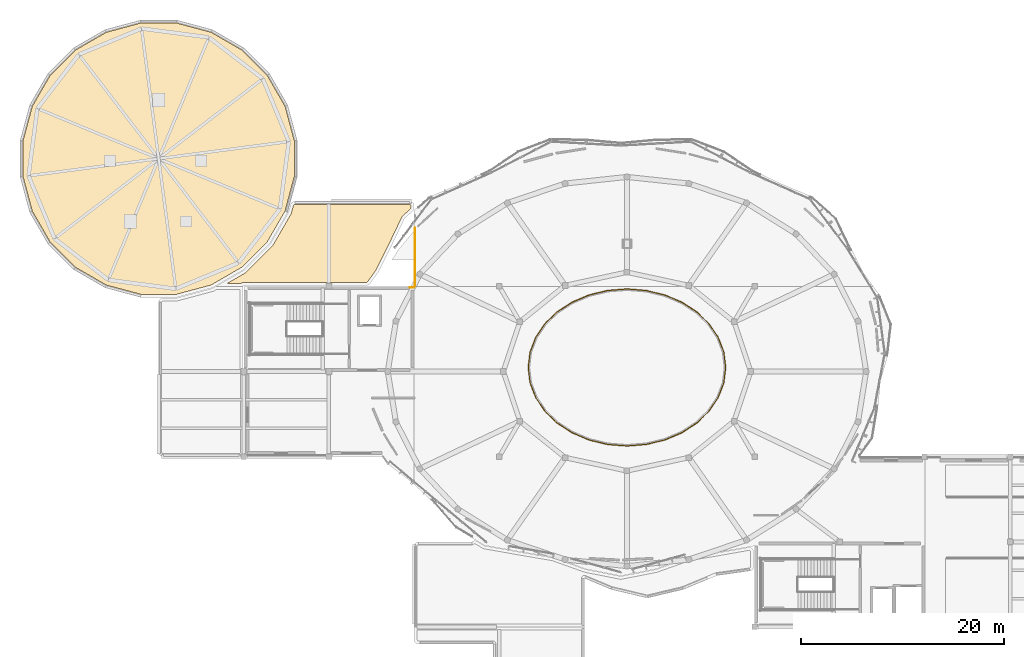
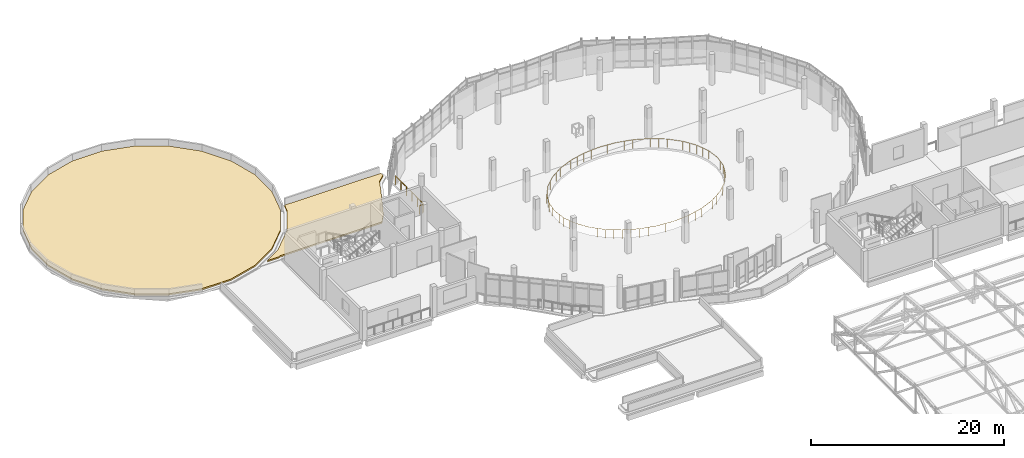
# One storey, part 69 of 74: 2 coverings, 2 railings.
"""IFC4 building model written with IfcOpenShell, lengths in metres."""

from ifc_helpers import new_model, si_unit, derived_unit, direction, frame, origin, origin_2d, place, context, subcontext, project, spatial, polyline, circle, outline, extrude, material, layer, layer_set, type_object, element, save


model = new_model("IFC4")

# Units and contexts
model_context = context("Model", 3, precision=1e-05, world=origin(), true_north=direction((0.0, 1.0)))
body_context = subcontext(model_context, "Body", "Model", "MODEL_VIEW")
ifc_project = project(units=[si_unit("LENGTHUNIT", "METRE"), si_unit("AREAUNIT", "SQUARE_METRE"), si_unit("VOLUMEUNIT", "CUBIC_METRE"), si_unit("PLANEANGLEUNIT", "RADIAN"), si_unit("MASSUNIT", "GRAM", prefix="KILO"), derived_unit("THERMALTRANSMITTANCEUNIT", [(si_unit("POWERUNIT", "WATT"), 1), (si_unit("LENGTHUNIT", "METRE"), -2), (si_unit("THERMODYNAMICTEMPERATUREUNIT", "KELVIN"), -1)])], contexts=[model_context])

# Site, building, storey
site_placement = place(None, origin())
site = spatial("IfcSite", under=ifc_project, at=site_placement, CompositionType="ELEMENT")
building_placement = place(site_placement, origin())
building = spatial("IfcBuilding", under=site, at=building_placement, Name="Elbkamm Science Centre", CompositionType="ELEMENT")
storey_placement = place(building_placement, frame((0.0, 0.0, 14.39990234375)))
storey = spatial("IfcBuildingStorey", under=building, at=storey_placement, Name="L03", CompositionType="ELEMENT", Elevation=14.39990234375)

# Coverings
ifc_material_1 = material(Name="EPDM waterproof roofing membrane and mineral wool insulation")
ifc_layer = layer(ifc_material_1, 0.179931640625)
ifc_layer_set = layer_set([ifc_layer], Name="EPDM waterproof roofing membrane and mineral wool insulation")
covering_type = type_object("IfcCoveringType", Name="COV-ROOFING-180", PredefinedType="ROOFING", material=ifc_layer_set)
covering_1_placement = place(storey_placement, frame((0.0, 0.0, 0.06005859375)))
element("IfcCovering", 1, at=covering_1_placement, inside=storey, type_object=covering_type, Name="L03 Insulated Roof Membrane Covering 01", PredefinedType="ROOFING", context=body_context, shape_type="SweptSolid", body=[
    extrude(outline(polyline([(30.181884765625, 86.438232421875), (29.27001953125, 83.034912109375), (27.50830078125, 79.9833984375), (25.0166015625, 77.49169921875), (21.965087890625, 75.72998046875), (18.561767578125, 74.818115234375), (15.0380859375, 74.818115234375), (11.634765625, 75.72998046875), (8.583251953125, 77.49169921875), (6.091796875, 79.9833984375), (4.330078125, 83.034912109375), (3.418212890625, 86.438232421875), (3.418212890625, 89.9619140625), (4.330078125, 93.365234375), (6.091796875, 96.416748046875), (8.583251953125, 98.908203125), (11.634765625, 100.669921875), (15.0380859375, 101.581787109375), (18.561767578125, 101.581787109375), (21.965087890625, 100.669921875), (25.0166015625, 98.908203125), (27.50830078125, 96.416748046875), (29.27001953125, 93.365234375), (30.181884765625, 89.9619140625), (30.181884765625, 86.438232421875)])), origin(), (0.0, 0.0, 1.0), 0.179931640625),
])
covering_2_placement = place(storey_placement, origin())
element("IfcCovering", 2, at=covering_2_placement, inside=storey, type_object=covering_type, Name="L03 Insulated Roof Membrane Covering 12", PredefinedType="ROOFING", context=body_context, shape_type="SweptSolid", body=[
    extrude(outline(polyline([(24.935546875, 75.89990234375), (23.5595703125, 75.89990234375), (25.37158203125, 76.946044921875), (25.372314453125, 76.946533203125), (25.376708984375, 76.948974609375), (25.38427734375, 76.95361328125), (25.387939453125, 76.955810546875), (25.416259765625, 76.975830078125), (25.419677734375, 76.978515625), (25.430908203125, 76.988037109375), (25.434326171875, 76.990966796875), (25.448486328125, 77.004150390625), (25.452392578125, 77.00830078125), (26.722412109375, 78.2783203125), (27.99072265625, 79.546630859375), (27.99267578125, 79.548583984375), (28.009033203125, 79.565673828125), (28.011962890625, 79.569091796875), (28.021484375, 79.580322265625), (28.024169921875, 79.583740234375), (28.044189453125, 79.612060546875), (28.04638671875, 79.61572265625), (28.051025390625, 79.62353515625), (28.053955078125, 79.628662109375), (28.05419921875, 79.629150390625), (29.849853515625, 82.7392578125), (29.852294921875, 82.7431640625), (29.859619140625, 82.757080078125), (29.86181640625, 82.760986328125), (29.870849609375, 82.780517578125), (29.87255859375, 82.78466796875), (29.883056640625, 82.813232421875), (29.884521484375, 82.8173828125), (29.8876953125, 82.82861328125), (29.88916015625, 82.833984375), (30.08935546875, 83.58154296875), (30.096435546875, 83.603271484375), (30.102294921875, 83.616943359375), (30.109619140625, 83.6298828125), (30.118408203125, 83.64208984375), (30.12841796875, 83.65380859375), (30.139404296875, 83.6640625), (30.1513671875, 83.673095703125), (30.164306640625, 83.68115234375), (30.177490234375, 83.6875), (30.191650390625, 83.69287109375), (30.206298828125, 83.696533203125), (30.22119140625, 83.69873046875), (30.243896484375, 83.699951171875), (41.54248046875, 83.699951171875), (41.564697265625, 83.698974609375), (41.5791015625, 83.69677734375), (41.593017578125, 83.693359375), (41.607421875, 83.68798828125), (41.62060546875, 83.681884765625), (41.63330078125, 83.67431640625), (41.64501953125, 83.665771484375), (41.65576171875, 83.65576171875), (41.665771484375, 83.64501953125), (41.67431640625, 83.63330078125), (41.681884765625, 83.62060546875), (41.68798828125, 83.607421875), (41.693359375, 83.593017578125), (41.69677734375, 83.5791015625), (41.698974609375, 83.564697265625), (41.699951171875, 83.54248046875), (41.699951171875, 83.36328125), (41.698974609375, 83.34228515625), (41.697021484375, 83.328369140625), (41.69384765625, 83.314697265625), (41.689208984375, 83.301513671875), (41.68359375, 83.288818359375), (41.677001953125, 83.27685546875), (41.6689453125, 83.265380859375), (41.659912109375, 83.254638671875), (41.64501953125, 83.23974609375), (40.880126953125, 82.552001953125), (40.879638671875, 82.551513671875), (40.87548828125, 82.5478515625), (40.859375, 82.531982421875), (40.857421875, 82.52978515625), (40.84765625, 82.51904296875), (40.845703125, 82.516845703125), (40.82470703125, 82.489501953125), (40.822998046875, 82.487060546875), (40.806884765625, 82.46044921875), (40.805419921875, 82.4580078125), (40.79833984375, 82.44384765625), (40.796142578125, 82.43896484375), (40.176513671875, 81.143798828125), (39.48828125, 79.70458984375), (39.48583984375, 79.69970703125), (38.22119140625, 77.17578125), (38.21240234375, 77.159912109375), (38.202392578125, 77.14501953125), (37.42578125, 76.068115234375), (37.412353515625, 76.05126953125), (37.402587890625, 76.041015625), (37.39208984375, 76.0322265625), (37.38037109375, 76.023681640625), (37.367919921875, 76.0166015625), (37.355224609375, 76.010986328125), (37.341796875, 76.00634765625), (37.327880859375, 76.0029296875), (37.314208984375, 76.0009765625), (37.292724609375, 76.0), (25.199951171875, 76.0), (25.184814453125, 75.99951171875), (25.1748046875, 75.9990234375), (25.147216796875, 75.996337890625), (25.1376953125, 75.9951171875), (25.10693359375, 75.989013671875), (25.097412109375, 75.986572265625), (25.07080078125, 75.978515625), (25.061279296875, 75.97509765625), (25.032470703125, 75.963134765625), (25.023681640625, 75.958984375), (24.99853515625, 75.9453125), (24.989990234375, 75.940185546875), (24.96533203125, 75.923828125), (24.95751953125, 75.91796875), (24.935546875, 75.89990234375)])), origin(), (0.0, 0.0, 1.0), 0.18017578125),
])

# Railings
ifc_material_2 = material(Name="Stainless steel EN 1.4401", Category="steel")
railing_type_1 = type_object("IfcRailingType", Name="RAIL-EXT-GUARD-1100", PredefinedType="GUARDRAIL", material=ifc_material_2)
railing_1_placement = place(storey_placement, frame((41.580078125, 75.5, 0.0)))
element("IfcRailing", 3, at=railing_1_placement, inside=storey, type_object=railing_type_1, Name="L03 Slab Edge Perimeter Guard 075", PredefinedType="GUARDRAIL", context=body_context, shape_type="SweptSolid", body=[
    extrude(circle(Radius=0.02392578125, at=origin_2d()), frame((0.0, 0.0, 1.078125), z_axis=(1.0, 0.0, 0.0), x_axis=(0.0, 1.0, 0.0)), (0.0, 0.0, 1.0), 0.353759765625),
    extrude(circle(Radius=0.02392578125, at=origin_2d()), frame((0.405029296875, 0.021240234375, 1.078125), z_axis=(0.707740673033, 0.706472320572, 0.0), x_axis=(-0.706472320572, 0.707740673033, 0.0)), (0.0, 0.0, 1.0), 0.132568359375),
    extrude(circle(Radius=0.02392578125, at=origin_2d()), frame((0.52001953125, 0.166015625, 1.078125), z_axis=(0.0, 1.0, 0.0), x_axis=(-1.0, 0.0, 0.0)), (0.0, 0.0, 1.0), 5.72314453125),
    extrude(circle(Radius=0.02001953125, at=origin_2d()), origin(), (0.0, 0.0, 1.0), 1.048095703125),
    extrude(circle(Radius=0.02001953125, at=origin_2d()), frame((0.3837890625, 0.0, 0.0)), (0.0, 0.0, 1.0), 1.048095703125),
    extrude(circle(Radius=0.02001953125, at=origin_2d()), frame((0.52001953125, 0.135986328125, 0.0)), (0.0, 0.0, 1.0), 1.048095703125),
    extrude(circle(Radius=0.02001953125, at=origin_2d()), frame((0.52001953125, 1.28662109375, 0.0)), (0.0, 0.0, 1.0), 1.048095703125),
    extrude(circle(Radius=0.02001953125, at=origin_2d()), frame((0.52001953125, 2.437255859375, 0.0)), (0.0, 0.0, 1.0), 1.048095703125),
    extrude(circle(Radius=0.02001953125, at=origin_2d()), frame((0.52001953125, 3.587890625, 0.0)), (0.0, 0.0, 1.0), 1.048095703125),
    extrude(circle(Radius=0.02001953125, at=origin_2d()), frame((0.52001953125, 4.738525390625, 0.0)), (0.0, 0.0, 1.0), 1.048095703125),
    extrude(circle(Radius=0.02001953125, at=origin_2d()), frame((0.52001953125, 5.88916015625, 0.0)), (0.0, 0.0, 1.0), 1.048095703125),
])
railing_type_2 = type_object("IfcRailingType", Name="RAIL-GUARD-1100", PredefinedType="GUARDRAIL", material=ifc_material_2)
railing_2_placement = place(storey_placement, frame((54.005859375, 70.573486328125, 0.0)))
element("IfcRailing", 4, at=railing_2_placement, inside=storey, type_object=railing_type_2, Name="L03 Elliptical Atrium Void Guardrail", PredefinedType="GUARDRAIL", context=body_context, shape_type="SweptSolid", body=[
    extrude(circle(Radius=0.02392578125, at=origin_2d()), frame((0.0, 0.0, 1.078125), z_axis=(0.5595714469, 0.828782116008, 0.0), x_axis=(-0.828782116008, 0.5595714469, 0.0)), (0.0, 0.0, 1.0), 1.5859375),
    extrude(circle(Radius=0.02392578125, at=origin_2d()), frame((0.92578125, 1.360107421875, 1.078125), z_axis=(0.719728063603, 0.694256087091, 0.0), x_axis=(-0.694256087091, 0.719728063603, 0.0)), (0.0, 0.0, 1.0), 1.626953125),
    extrude(circle(Radius=0.02392578125, at=origin_2d()), frame((2.1435546875, 2.52685546875, 1.078125), z_axis=(0.838541817621, 0.544837241844, 0.0), x_axis=(-0.544837241844, 0.838541817621, 0.0)), (0.0, 0.0, 1.0), 1.70068359375),
    extrude(circle(Radius=0.02392578125, at=origin_2d()), frame((3.622314453125, 3.4814453125, 1.078125), z_axis=(0.920926649537, 0.389735944164, 0.0), x_axis=(-0.389735944164, 0.920926649537, 0.0)), (0.0, 0.0, 1.0), 1.76611328125),
    extrude(circle(Radius=0.02392578125, at=origin_2d()), frame((5.305419921875, 4.1884765625, 1.078125), z_axis=(0.97236010855, 0.23348622936, 0.0), x_axis=(-0.23348622936, 0.97236010855, 0.0)), (0.0, 0.0, 1.0), 1.814697265625),
    extrude(circle(Radius=0.02392578125, at=origin_2d()), frame((7.12939453125, 4.62158203125, 1.078125), z_axis=(0.996975375011, 0.077718090695, 0.0), x_axis=(-0.077718090695, 0.996975375011, 0.0)), (0.0, 0.0, 1.0), 1.840576171875),
    extrude(circle(Radius=0.02392578125, at=origin_2d()), frame((9.024169921875, 4.764404296875, 1.078125), z_axis=(0.996975375011, -0.077718090695, 0.0), x_axis=(0.077718090695, 0.996975375011, 0.0)), (0.0, 0.0, 1.0), 1.840576171875),
    extrude(circle(Radius=0.02392578125, at=origin_2d()), frame((10.91796875, 4.612060546875, 1.078125), z_axis=(0.97236010855, -0.23348622936, 0.0), x_axis=(0.23348622936, 0.97236010855, 0.0)), (0.0, 0.0, 1.0), 1.814697265625),
    extrude(circle(Radius=0.02392578125, at=origin_2d()), frame((12.739501953125, 4.169677734375, 1.078125), z_axis=(0.920926649537, -0.389735944164, 0.0), x_axis=(0.389735944164, 0.920926649537, 0.0)), (0.0, 0.0, 1.0), 1.76611328125),
    extrude(circle(Radius=0.02392578125, at=origin_2d()), frame((14.418701171875, 3.453369140625, 1.078125), z_axis=(0.838541817621, -0.544837241844, 0.0), x_axis=(0.544837241844, 0.838541817621, 0.0)), (0.0, 0.0, 1.0), 1.70068359375),
    extrude(circle(Radius=0.02392578125, at=origin_2d()), frame((15.891357421875, 2.48974609375, 1.078125), z_axis=(0.719728063603, -0.694256087091, 0.0), x_axis=(0.694256087091, 0.719728063603, 0.0)), (0.0, 0.0, 1.0), 1.626953125),
    extrude(circle(Radius=0.02392578125, at=origin_2d()), frame((17.100830078125, 1.314453125, 1.078125), z_axis=(0.5595714469, -0.828782116008, 0.0), x_axis=(0.828782116008, 0.5595714469, 0.0)), (0.0, 0.0, 1.0), 1.55615234375),
    extrude(circle(Radius=0.02392578125, at=origin_2d()), frame((17.9990234375, -0.028076171875, 1.078125), z_axis=(0.357804090249, -0.933796676478, 0.0), x_axis=(0.933796676478, 0.357804090249, 0.0)), (0.0, 0.0, 1.0), 1.499755859375),
    extrude(circle(Radius=0.02392578125, at=origin_2d()), frame((18.550048828125, -1.486328125, 1.078125), z_axis=(0.123621913649, -0.99232939212, 0.0), x_axis=(0.99232939212, 0.123621913649, 0.0)), (0.0, 0.0, 1.0), 1.468505859375),
    extrude(circle(Radius=0.02392578125, at=origin_2d()), frame((18.731689453125, -3.003173828125, 1.078125), z_axis=(-0.12360232351, -0.992331832414, 0.0), x_axis=(0.992331832414, -0.12360232351, 0.0)), (0.0, 0.0, 1.0), 1.46875),
    extrude(circle(Radius=0.02392578125, at=origin_2d()), frame((18.53564453125, -4.5185546875, 1.078125), z_axis=(-0.357804090249, -0.933796676478, 0.0), x_axis=(0.933796676478, -0.357804090249, 0.0)), (0.0, 0.0, 1.0), 1.499755859375),
    extrude(circle(Radius=0.02392578125, at=origin_2d()), frame((17.971435546875, -5.971923828125, 1.078125), z_axis=(-0.5595714469, -0.828782116008, 0.0), x_axis=(0.828782116008, -0.5595714469, 0.0)), (0.0, 0.0, 1.0), 1.55615234375),
    extrude(circle(Radius=0.02392578125, at=origin_2d()), frame((17.0625, -7.30712890625, 1.078125), z_axis=(-0.719728063603, -0.694256087091, 0.0), x_axis=(0.694256087091, -0.719728063603, 0.0)), (0.0, 0.0, 1.0), 1.626953125),
    extrude(circle(Radius=0.02392578125, at=origin_2d()), frame((15.8447265625, -8.473876953125, 1.078125), z_axis=(-0.838541817621, -0.544837241844, 0.0), x_axis=(0.544837241844, -0.838541817621, 0.0)), (0.0, 0.0, 1.0), 1.70068359375),
    extrude(circle(Radius=0.02392578125, at=origin_2d()), frame((14.365966796875, -9.428466796875, 1.078125), z_axis=(-0.920926649537, -0.389735944164, 0.0), x_axis=(0.389735944164, -0.920926649537, 0.0)), (0.0, 0.0, 1.0), 1.76611328125),
    extrude(circle(Radius=0.02392578125, at=origin_2d()), frame((12.682861328125, -10.135498046875, 1.078125), z_axis=(-0.97236010855, -0.23348622936, 0.0), x_axis=(0.23348622936, -0.97236010855, 0.0)), (0.0, 0.0, 1.0), 1.814697265625),
    extrude(circle(Radius=0.02392578125, at=origin_2d()), frame((10.85888671875, -10.568603515625, 1.078125), z_axis=(-0.996975375011, -0.077718090695, 0.0), x_axis=(0.077718090695, -0.996975375011, 0.0)), (0.0, 0.0, 1.0), 1.840576171875),
    extrude(circle(Radius=0.02392578125, at=origin_2d()), frame((8.964111328125, -10.71142578125, 1.078125), z_axis=(-0.996975375011, 0.077718090695, 0.0), x_axis=(-0.077718090695, -0.996975375011, 0.0)), (0.0, 0.0, 1.0), 1.840576171875),
    extrude(circle(Radius=0.02392578125, at=origin_2d()), frame((7.0703125, -10.55908203125, 1.078125), z_axis=(-0.97236010855, 0.23348622936, 0.0), x_axis=(-0.23348622936, -0.97236010855, 0.0)), (0.0, 0.0, 1.0), 1.814697265625),
    extrude(circle(Radius=0.02392578125, at=origin_2d()), frame((5.248779296875, -10.11669921875, 1.078125), z_axis=(-0.920926649537, 0.389735944164, 0.0), x_axis=(-0.389735944164, -0.920926649537, 0.0)), (0.0, 0.0, 1.0), 1.76611328125),
    extrude(circle(Radius=0.02392578125, at=origin_2d()), frame((3.569580078125, -9.400390625, 1.078125), z_axis=(-0.838541817621, 0.544837241844, 0.0), x_axis=(-0.544837241844, -0.838541817621, 0.0)), (0.0, 0.0, 1.0), 1.70068359375),
    extrude(circle(Radius=0.02392578125, at=origin_2d()), frame((2.096923828125, -8.436767578125, 1.078125), z_axis=(-0.719728063603, 0.694256087091, 0.0), x_axis=(-0.694256087091, -0.719728063603, 0.0)), (0.0, 0.0, 1.0), 1.626953125),
    extrude(circle(Radius=0.02392578125, at=origin_2d()), frame((0.887451171875, -7.261474609375, 1.078125), z_axis=(-0.5595714469, 0.828782116008, 0.0), x_axis=(-0.828782116008, -0.5595714469, 0.0)), (0.0, 0.0, 1.0), 1.55615234375),
    extrude(circle(Radius=0.02392578125, at=origin_2d()), frame((-0.0107421875, -5.9189453125, 1.078125), z_axis=(-0.357804090249, 0.933796676478, 0.0), x_axis=(-0.933796676478, -0.357804090249, 0.0)), (0.0, 0.0, 1.0), 1.499755859375),
    extrude(circle(Radius=0.02392578125, at=origin_2d()), frame((-0.561767578125, -4.460693359375, 1.078125), z_axis=(-0.12360232351, 0.992331832414, 0.0), x_axis=(-0.992331832414, -0.12360232351, 0.0)), (0.0, 0.0, 1.0), 1.46875),
    extrude(circle(Radius=0.02392578125, at=origin_2d()), frame((-0.743408203125, -2.943603515625, 1.078125), z_axis=(0.123621913649, 0.99232939212, 0.0), x_axis=(-0.99232939212, 0.123621913649, 0.0)), (0.0, 0.0, 1.0), 1.468505859375),
    extrude(circle(Radius=0.02392578125, at=origin_2d()), frame((-0.54736328125, -1.428466796875, 1.078125), z_axis=(0.357804090249, 0.933796676478, 0.0), x_axis=(-0.933796676478, 0.357804090249, 0.0)), (0.0, 0.0, 1.0), 1.52978515625),
    extrude(circle(Radius=0.02001953125, at=origin_2d()), origin(), (0.0, 0.0, 1.0), 1.048095703125),
    extrude(circle(Radius=0.02001953125, at=origin_2d()), frame((0.4521484375, 0.669677734375, 0.0)), (0.0, 0.0, 1.0), 1.048095703125),
    extrude(circle(Radius=0.02001953125, at=origin_2d()), frame((0.904296875, 1.33935546875, 0.0)), (0.0, 0.0, 1.0), 1.048095703125),
    extrude(circle(Radius=0.02001953125, at=origin_2d()), frame((1.51123046875, 1.9248046875, 0.0)), (0.0, 0.0, 1.0), 1.048095703125),
    extrude(circle(Radius=0.02001953125, at=origin_2d()), frame((2.118408203125, 2.510498046875, 0.0)), (0.0, 0.0, 1.0), 1.048095703125),
    extrude(circle(Radius=0.02001953125, at=origin_2d()), frame((2.8564453125, 2.990234375, 0.0)), (0.0, 0.0, 1.0), 1.048095703125),
    extrude(circle(Radius=0.02001953125, at=origin_2d()), frame((3.5947265625, 3.4697265625, 0.0)), (0.0, 0.0, 1.0), 1.048095703125),
    extrude(circle(Radius=0.02001953125, at=origin_2d()), frame((4.435546875, 3.82568359375, 0.0)), (0.0, 0.0, 1.0), 1.048095703125),
    extrude(circle(Radius=0.02001953125, at=origin_2d()), frame((5.2763671875, 4.181396484375, 0.0)), (0.0, 0.0, 1.0), 1.048095703125),
    extrude(circle(Radius=0.02001953125, at=origin_2d()), frame((6.18798828125, 4.400390625, 0.0)), (0.0, 0.0, 1.0), 1.048095703125),
    extrude(circle(Radius=0.02001953125, at=origin_2d()), frame((7.099365234375, 4.619140625, 0.0)), (0.0, 0.0, 1.0), 1.048095703125),
    extrude(circle(Radius=0.02001953125, at=origin_2d()), frame((8.046875, 4.69287109375, 0.0)), (0.0, 0.0, 1.0), 1.048095703125),
    extrude(circle(Radius=0.02001953125, at=origin_2d()), frame((8.994140625, 4.766845703125, 0.0)), (0.0, 0.0, 1.0), 1.048095703125),
    extrude(circle(Radius=0.02001953125, at=origin_2d()), frame((9.94140625, 4.69287109375, 0.0)), (0.0, 0.0, 1.0), 1.048095703125),
    extrude(circle(Radius=0.02001953125, at=origin_2d()), frame((10.888916015625, 4.619140625, 0.0)), (0.0, 0.0, 1.0), 1.048095703125),
    extrude(circle(Radius=0.02001953125, at=origin_2d()), frame((11.80029296875, 4.400390625, 0.0)), (0.0, 0.0, 1.0), 1.048095703125),
    extrude(circle(Radius=0.02001953125, at=origin_2d()), frame((12.7119140625, 4.181396484375, 0.0)), (0.0, 0.0, 1.0), 1.048095703125),
    extrude(circle(Radius=0.02001953125, at=origin_2d()), frame((13.552734375, 3.82568359375, 0.0)), (0.0, 0.0, 1.0), 1.048095703125),
    extrude(circle(Radius=0.02001953125, at=origin_2d()), frame((14.3935546875, 3.4697265625, 0.0)), (0.0, 0.0, 1.0), 1.048095703125),
    extrude(circle(Radius=0.02001953125, at=origin_2d()), frame((15.1318359375, 2.990234375, 0.0)), (0.0, 0.0, 1.0), 1.048095703125),
    extrude(circle(Radius=0.02001953125, at=origin_2d()), frame((15.869873046875, 2.510498046875, 0.0)), (0.0, 0.0, 1.0), 1.048095703125),
    extrude(circle(Radius=0.02001953125, at=origin_2d()), frame((16.47705078125, 1.9248046875, 0.0)), (0.0, 0.0, 1.0), 1.048095703125),
    extrude(circle(Radius=0.02001953125, at=origin_2d()), frame((17.083984375, 1.33935546875, 0.0)), (0.0, 0.0, 1.0), 1.048095703125),
    extrude(circle(Radius=0.02001953125, at=origin_2d()), frame((17.5361328125, 0.669677734375, 0.0)), (0.0, 0.0, 1.0), 1.048095703125),
    extrude(circle(Radius=0.02001953125, at=origin_2d()), frame((17.98828125, 0.0, 0.0)), (0.0, 0.0, 1.0), 1.048095703125),
    extrude(circle(Radius=0.02001953125, at=origin_2d()), frame((18.267333984375, -0.728271484375, 0.0)), (0.0, 0.0, 1.0), 1.048095703125),
    extrude(circle(Radius=0.02001953125, at=origin_2d()), frame((18.54638671875, -1.45654296875, 0.0)), (0.0, 0.0, 1.0), 1.048095703125),
    extrude(circle(Radius=0.02001953125, at=origin_2d()), frame((18.640869140625, -2.21484375, 0.0)), (0.0, 0.0, 1.0), 1.048095703125),
    extrude(circle(Radius=0.02001953125, at=origin_2d()), frame((18.7353515625, -2.973388671875, 0.0)), (0.0, 0.0, 1.0), 1.048095703125),
    extrude(circle(Radius=0.02001953125, at=origin_2d()), frame((18.640869140625, -3.73193359375, 0.0)), (0.0, 0.0, 1.0), 1.048095703125),
    extrude(circle(Radius=0.02001953125, at=origin_2d()), frame((18.54638671875, -4.490478515625, 0.0)), (0.0, 0.0, 1.0), 1.048095703125),
    extrude(circle(Radius=0.02001953125, at=origin_2d()), frame((18.267333984375, -5.21875, 0.0)), (0.0, 0.0, 1.0), 1.048095703125),
    extrude(circle(Radius=0.02001953125, at=origin_2d()), frame((17.98828125, -5.947021484375, 0.0)), (0.0, 0.0, 1.0), 1.048095703125),
    extrude(circle(Radius=0.02001953125, at=origin_2d()), frame((17.5361328125, -6.61669921875, 0.0)), (0.0, 0.0, 1.0), 1.048095703125),
    extrude(circle(Radius=0.02001953125, at=origin_2d()), frame((17.083984375, -7.286376953125, 0.0)), (0.0, 0.0, 1.0), 1.048095703125),
    extrude(circle(Radius=0.02001953125, at=origin_2d()), frame((16.47705078125, -7.8720703125, 0.0)), (0.0, 0.0, 1.0), 1.048095703125),
    extrude(circle(Radius=0.02001953125, at=origin_2d()), frame((15.869873046875, -8.45751953125, 0.0)), (0.0, 0.0, 1.0), 1.048095703125),
    extrude(circle(Radius=0.02001953125, at=origin_2d()), frame((15.1318359375, -8.93701171875, 0.0)), (0.0, 0.0, 1.0), 1.048095703125),
    extrude(circle(Radius=0.02001953125, at=origin_2d()), frame((14.3935546875, -9.416748046875, 0.0)), (0.0, 0.0, 1.0), 1.048095703125),
    extrude(circle(Radius=0.02001953125, at=origin_2d()), frame((13.552734375, -9.7724609375, 0.0)), (0.0, 0.0, 1.0), 1.048095703125),
    extrude(circle(Radius=0.02001953125, at=origin_2d()), frame((12.7119140625, -10.12841796875, 0.0)), (0.0, 0.0, 1.0), 1.048095703125),
    extrude(circle(Radius=0.02001953125, at=origin_2d()), frame((11.80029296875, -10.34716796875, 0.0)), (0.0, 0.0, 1.0), 1.048095703125),
    extrude(circle(Radius=0.02001953125, at=origin_2d()), frame((10.888916015625, -10.566162109375, 0.0)), (0.0, 0.0, 1.0), 1.048095703125),
    extrude(circle(Radius=0.02001953125, at=origin_2d()), frame((9.94140625, -10.64013671875, 0.0)), (0.0, 0.0, 1.0), 1.048095703125),
    extrude(circle(Radius=0.02001953125, at=origin_2d()), frame((8.994140625, -10.7138671875, 0.0)), (0.0, 0.0, 1.0), 1.048095703125),
    extrude(circle(Radius=0.02001953125, at=origin_2d()), frame((8.046875, -10.64013671875, 0.0)), (0.0, 0.0, 1.0), 1.048095703125),
    extrude(circle(Radius=0.02001953125, at=origin_2d()), frame((7.099365234375, -10.566162109375, 0.0)), (0.0, 0.0, 1.0), 1.048095703125),
    extrude(circle(Radius=0.02001953125, at=origin_2d()), frame((6.18798828125, -10.34716796875, 0.0)), (0.0, 0.0, 1.0), 1.048095703125),
    extrude(circle(Radius=0.02001953125, at=origin_2d()), frame((5.2763671875, -10.12841796875, 0.0)), (0.0, 0.0, 1.0), 1.048095703125),
    extrude(circle(Radius=0.02001953125, at=origin_2d()), frame((4.435546875, -9.7724609375, 0.0)), (0.0, 0.0, 1.0), 1.048095703125),
    extrude(circle(Radius=0.02001953125, at=origin_2d()), frame((3.5947265625, -9.416748046875, 0.0)), (0.0, 0.0, 1.0), 1.048095703125),
    extrude(circle(Radius=0.02001953125, at=origin_2d()), frame((2.8564453125, -8.93701171875, 0.0)), (0.0, 0.0, 1.0), 1.048095703125),
    extrude(circle(Radius=0.02001953125, at=origin_2d()), frame((2.118408203125, -8.45751953125, 0.0)), (0.0, 0.0, 1.0), 1.048095703125),
    extrude(circle(Radius=0.02001953125, at=origin_2d()), frame((1.51123046875, -7.8720703125, 0.0)), (0.0, 0.0, 1.0), 1.048095703125),
    extrude(circle(Radius=0.02001953125, at=origin_2d()), frame((0.904296875, -7.286376953125, 0.0)), (0.0, 0.0, 1.0), 1.048095703125),
    extrude(circle(Radius=0.02001953125, at=origin_2d()), frame((0.4521484375, -6.61669921875, 0.0)), (0.0, 0.0, 1.0), 1.048095703125),
    extrude(circle(Radius=0.02001953125, at=origin_2d()), frame((0.0, -5.947021484375, 0.0)), (0.0, 0.0, 1.0), 1.048095703125),
    extrude(circle(Radius=0.02001953125, at=origin_2d()), frame((-0.279052734375, -5.21875, 0.0)), (0.0, 0.0, 1.0), 1.048095703125),
    extrude(circle(Radius=0.02001953125, at=origin_2d()), frame((-0.55810546875, -4.490478515625, 0.0)), (0.0, 0.0, 1.0), 1.048095703125),
    extrude(circle(Radius=0.02001953125, at=origin_2d()), frame((-0.652587890625, -3.73193359375, 0.0)), (0.0, 0.0, 1.0), 1.048095703125),
    extrude(circle(Radius=0.02001953125, at=origin_2d()), frame((-0.7470703125, -2.973388671875, 0.0)), (0.0, 0.0, 1.0), 1.048095703125),
    extrude(circle(Radius=0.02001953125, at=origin_2d()), frame((-0.652587890625, -2.21484375, 0.0)), (0.0, 0.0, 1.0), 1.048095703125),
    extrude(circle(Radius=0.02001953125, at=origin_2d()), frame((-0.55810546875, -1.45654296875, 0.0)), (0.0, 0.0, 1.0), 1.048095703125),
    extrude(circle(Radius=0.02001953125, at=origin_2d()), frame((-0.279052734375, -0.728271484375, 0.0)), (0.0, 0.0, 1.0), 1.048095703125),
])

save(model, "model.ifc")
